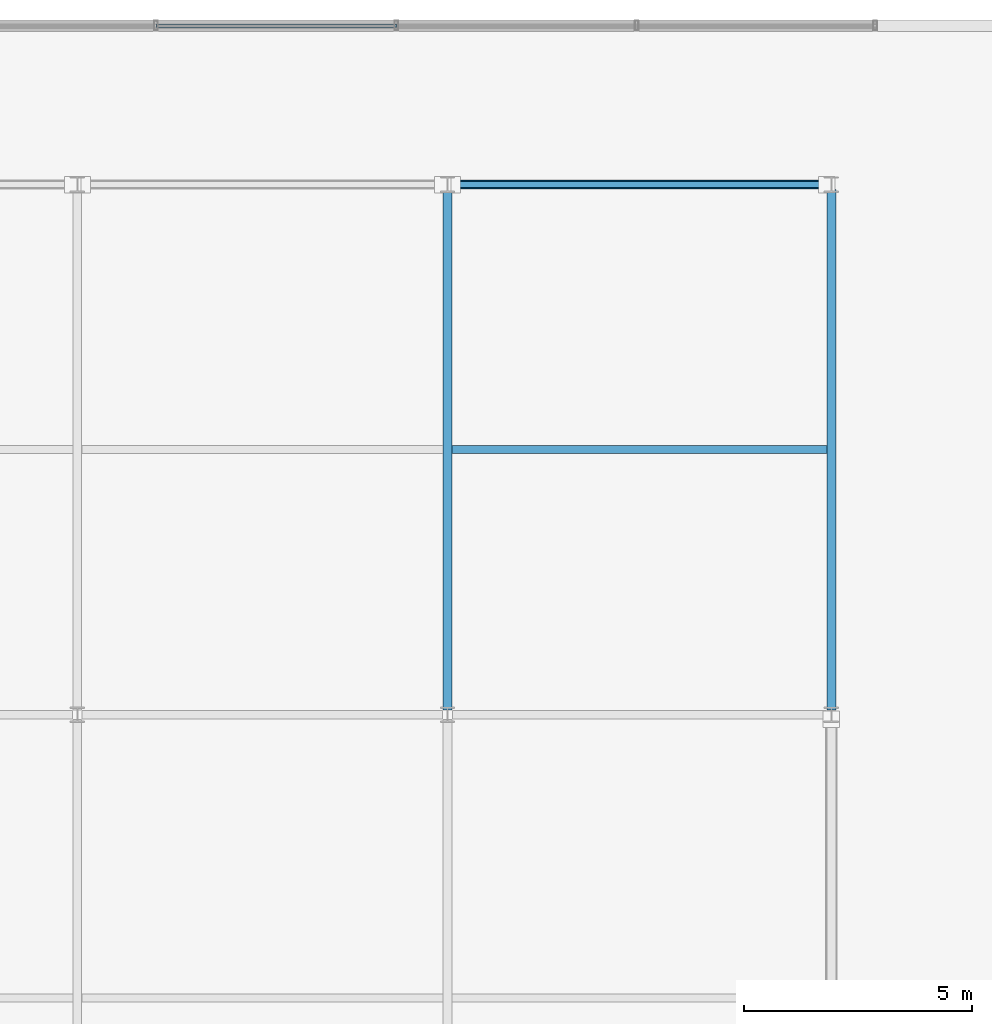
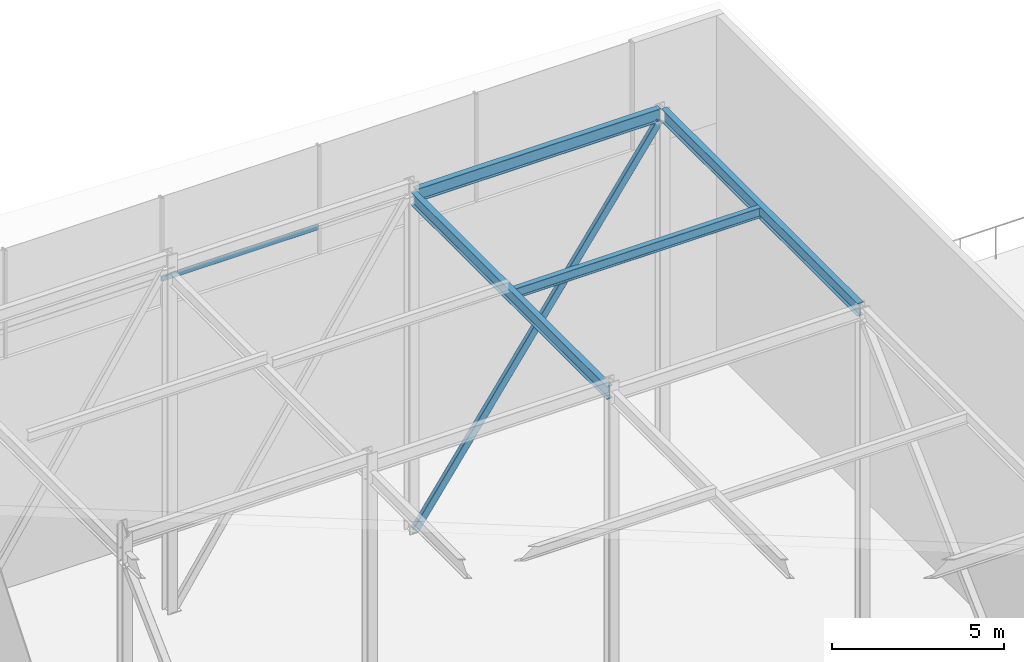
# One storey, part 20 of 39: 4 beams, 2 members, 1 element without a shape of its own.
"""IFC4 building model written with IfcOpenShell, lengths in metres."""

from ifc_helpers import new_model, si_unit, direction, frame, origin, origin_2d, place, context, subcontext, project, spatial, hollow_rectangle, i_section, extrude, material, layer, layer_set, material_profile, profile_set, type_object, element, aggregate, save


model = new_model("IFC4")

# Units and contexts
model_context = context("Model", 3, precision=1e-05, world=origin(), true_north=direction((0.0, 1.0)))
body_context = subcontext(model_context, "Body", "Model", "MODEL_VIEW")
ifc_project = project(units=[si_unit("LENGTHUNIT", "METRE"), si_unit("AREAUNIT", "SQUARE_METRE"), si_unit("VOLUMEUNIT", "CUBIC_METRE"), si_unit("PLANEANGLEUNIT", "RADIAN"), si_unit("MASSUNIT", "GRAM", prefix="KILO")], contexts=[model_context])

# Site, building, storey
site_placement = place(None, origin())
site = spatial("IfcSite", under=ifc_project, at=site_placement, CompositionType="ELEMENT")
building_placement = place(site_placement, origin())
building = spatial("IfcBuilding", under=site, at=building_placement, Name="Korimba Cascade Residences", CompositionType="ELEMENT")
storey_placement = place(building_placement, frame((0.0, 0.0, 264.199951171875)))
storey = spatial("IfcBuildingStorey", under=building, at=storey_placement, Name="RF", CompositionType="ELEMENT", Elevation=264.199951171875)

# Beams
ifc_material_1 = material(Name="Steel S355", Category="steel")
ifc_material_profile_1 = material_profile(ifc_material_1, i_section(OverallWidth=0.172119140625, OverallDepth=0.35791015625, WebThickness=0.008056640625, FlangeThickness=0.012939453125, FilletRadius=0.01025390625, at=origin_2d()), Name="Steel S355")
ifc_profile_set_1 = profile_set([ifc_material_profile_1], Name="Steel S355")
beam_type_1 = type_object("IfcBeamType", Name="BM-STL-UB356", PredefinedType="JOIST", material=ifc_profile_set_1)
beam_1_placement = place(storey_placement, frame((76.199951171875, 85.39990234375, 11.919677734375), z_axis=(1.0, 0.0, 0.0), x_axis=(0.0, 1.0, 0.0)))
element("IfcBeam", 1, at=beam_1_placement, inside=storey, type_object=beam_type_1, Name="RF Crown Cap Joist W3.3", PredefinedType="JOIST", context=body_context, shape_type="SweptSolid", body=[
    extrude(i_section(OverallWidth=0.172119140625, OverallDepth=0.35791015625, WebThickness=0.008056640625, FlangeThickness=0.012939453125, FilletRadius=0.01025390625, at=origin_2d()), origin(), (0.0, 0.0, 1.0), 8.199951171875),
])
ifc_material_profile_2 = material_profile(ifc_material_1, i_section(OverallWidth=0.19140625, OverallDepth=0.4599609375, WebThickness=0.010009765625, FlangeThickness=0.01611328125, FilletRadius=0.01025390625, at=origin_2d()), Name="Steel S355")
ifc_profile_set_2 = profile_set([ifc_material_profile_2], Name="Steel S355")
beam_type_2 = type_object("IfcBeamType", Name="BM-STL-UB457", PredefinedType="JOIST", material=ifc_profile_set_2)
beam_2_placement = place(storey_placement, frame((76.205078125, 91.199951171875, 11.86865234375), z_axis=(1.0, 0.0, 0.0), x_axis=(0.0, 1.0, 0.0)))
element("IfcBeam", 2, at=beam_2_placement, inside=storey, type_object=beam_type_2, Name="RF Crown Cap Ring Beam W4.3", PredefinedType="JOIST", context=body_context, shape_type="SweptSolid", body=[
    extrude(i_section(OverallWidth=0.19140625, OverallDepth=0.4599609375, WebThickness=0.010009765625, FlangeThickness=0.01611328125, FilletRadius=0.01025390625, at=origin_2d()), origin(), (0.0, 0.0, 1.0), 8.18994140625),
])
for number, where, z_axis, x_axis, name in (
    (3, (76.10009765625, 79.705078125, 11.86865234375), (0.0, 1.0, 0.0), (-1.0, 0.0, 0.0), "RF Crown Cap Tie Beam W3.3"),
    (4, (84.5, 79.705078125, 11.86865234375), (0.0, 1.0, 0.0), (-1.0, 0.0, 0.0), "RF Crown Cap Tie Beam W4.3"),
):
    element("IfcBeam", number, at=place(storey_placement, frame(where, z_axis=z_axis, x_axis=x_axis)), inside=storey, type_object=beam_type_2, Name=name, PredefinedType="JOIST", context=body_context, shape_type="SweptSolid", body=[
        extrude(i_section(OverallWidth=0.19140625, OverallDepth=0.4599609375, WebThickness=0.010009765625, FlangeThickness=0.01611328125, FilletRadius=0.01025390625, at=origin_2d()), origin(), (0.0, 0.0, 1.0), 11.389892578125),
    ])

# Curtain wall, member
ifc_material_2 = material(Name="Anodised Aluminium Curtain Wall Framing", Category="aluminium")
ifc_layer = layer(ifc_material_2, 0.179931640625)
ifc_layer_set = layer_set([ifc_layer], Name="Anodised Aluminium Curtain Wall Framing")
curtain_wall_type = type_object("IfcCurtainWallType", Name="CW-CRNW-SYS5", PredefinedType="NOTDEFINED", material=ifc_layer_set)
curtain_wall_placement = place(storey_placement, origin())
curtain_wall = element("IfcCurtainWall", 5, at=curtain_wall_placement, inside=storey, type_object=curtain_wall_type, Name="RF Curtain Wall CW-RF-CRN-W-2", PredefinedType="NOTDEFINED")
ifc_material_3 = material(Name="Anodised Aluminium Transom", Category="aluminium")
ifc_material_profile_3 = material_profile(ifc_material_3, hollow_rectangle(XDim=0.070068359375, YDim=0.179931640625, WallThickness=0.0048828125, InnerFilletRadius=0.0048828125, OuterFilletRadius=0.010009765625, at=origin_2d()), Name="Anodised Aluminium Transom")
ifc_profile_set_3 = profile_set([ifc_material_profile_3], Name="Anodised Aluminium Transom")
member_type_1 = type_object("IfcMemberType", Name="CWM-TRN-150", PredefinedType="USERDEFINED", material=ifc_profile_set_3)
member_1_placement = place(storey_placement, frame((69.719970703125, 94.675048828125, 9.050048828125), z_axis=(1.0, 0.0, 0.0), x_axis=(0.0, 1.0, 0.0)))
member_1 = element("IfcMember", 6, at=member_1_placement, type_object=member_type_1, Name="CW-RF-CRN-W-2 Transom 3", ObjectType="TRANSOM", PredefinedType="USERDEFINED", context=body_context, shape_type="SweptSolid", body=[
    extrude(hollow_rectangle(XDim=0.070068359375, YDim=0.179931640625, WallThickness=0.0048828125, InnerFilletRadius=0.0048828125, OuterFilletRadius=0.010009765625, at=origin_2d()), origin(), (0.0, 0.0, 1.0), 5.260009765625),
])
aggregate(curtain_wall, [member_1])

# Member
ifc_material_profile_4 = material_profile(ifc_material_1, hollow_rectangle(XDim=0.14990234375, YDim=0.25, WallThickness=0.009033203125, InnerFilletRadius=0.009033203125, OuterFilletRadius=0.01806640625, at=origin_2d()), Name="Steel S355")
ifc_profile_set_4 = profile_set([ifc_material_profile_4], Name="Steel S355")
member_type_2 = type_object("IfcMemberType", Name="MEM-CRN-RHS250", PredefinedType="BRACE", material=ifc_profile_set_4)
member_2_placement = place(storey_placement, frame((76.205078125, 91.199951171875, 0.0), z_axis=(0.57528863557, 0.0, 0.817950478809), x_axis=(0.0, 1.0, 0.0)))
element("IfcMember", 7, at=member_2_placement, inside=storey, type_object=member_type_2, Name="RF CROWN FRAME Diagonal Brace W4.3", PredefinedType="BRACE", context=body_context, shape_type="SweptSolid", body=[
    extrude(hollow_rectangle(XDim=0.14990234375, YDim=0.25, WallThickness=0.009033203125, InnerFilletRadius=0.009033203125, OuterFilletRadius=0.01806640625, at=origin_2d()), origin(), (0.0, 0.0, 1.0), 14.236328125),
])

save(model, "model.ifc")
